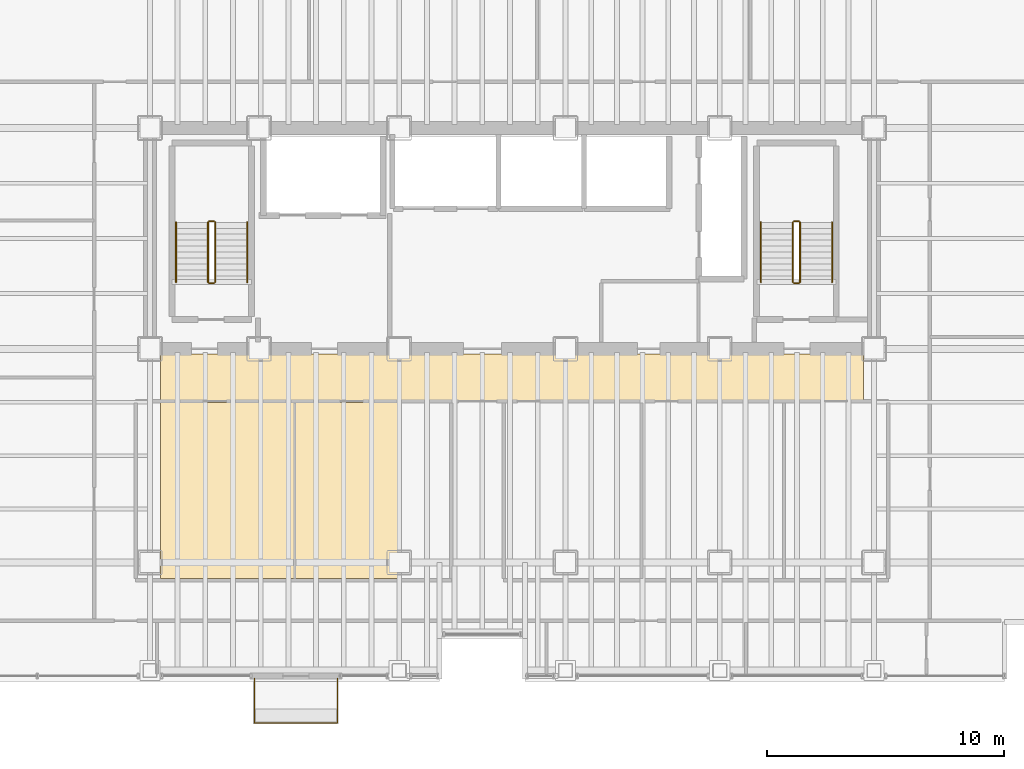
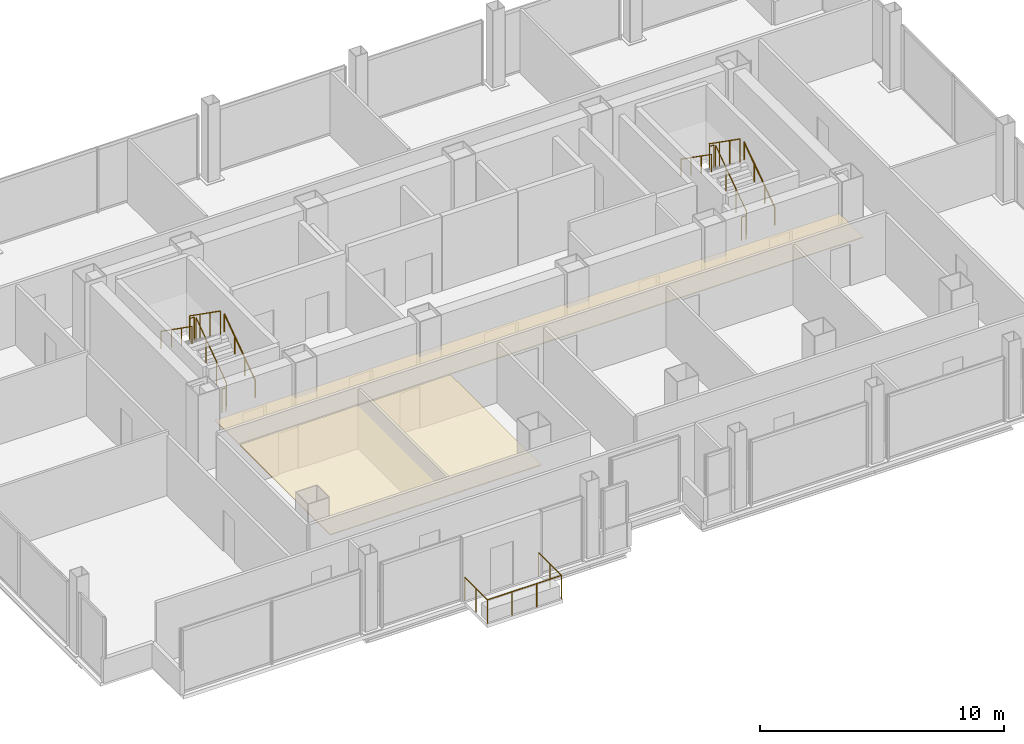
# One storey, part 21 of 21: 13 railings, 2 coverings.
"""IFC4 building model written with IfcOpenShell, lengths in metres."""

from ifc_helpers import new_model, si_unit, direction, frame, origin, origin_2d, place, context, subcontext, project, spatial, polyline, circle, outline, extrude, material, layer, layer_set, type_object, element, save


model = new_model("IFC4")

# Units and contexts
model_context = context("Model", 3, precision=1e-05, world=origin(), true_north=direction((0.0, 1.0)))
body_context = subcontext(model_context, "Body", "Model", "MODEL_VIEW")
ifc_project = project(units=[si_unit("LENGTHUNIT", "METRE"), si_unit("AREAUNIT", "SQUARE_METRE"), si_unit("VOLUMEUNIT", "CUBIC_METRE"), si_unit("PLANEANGLEUNIT", "RADIAN"), si_unit("MASSUNIT", "GRAM", prefix="KILO")], contexts=[model_context])

# Site, building, storey
site_placement = place(None, origin())
site = spatial("IfcSite", under=ifc_project, at=site_placement, CompositionType="ELEMENT")
building_placement = place(site_placement, origin())
building = spatial("IfcBuilding", under=site, at=building_placement, Name="Noeulbin Bourse Tower", CompositionType="ELEMENT")
storey_placement = place(building_placement, frame((0.0, 0.0, 42.10009765625)))
storey = spatial("IfcBuildingStorey", under=building, at=storey_placement, Name="L10", CompositionType="ELEMENT", Elevation=42.10009765625)

# Coverings
ifc_material_1 = material(Name="Perforated Mineral-Fibre Acoustic Tile")
ifc_layer_1 = layer(ifc_material_1, 0.0400390625)
ifc_layer_set_1 = layer_set([ifc_layer_1], Name="Perforated Mineral-Fibre Acoustic Tile")
covering_type = type_object("IfcCoveringType", Name="COV-CEIL-ACT", PredefinedType="CEILING", material=ifc_layer_set_1)
covering_1_placement = place(storey_placement, frame((0.0, 0.0, 2.10986328125)))
element("IfcCovering", 1, at=covering_1_placement, inside=storey, type_object=covering_type, Name="Corridor Suspended Ceiling L10", PredefinedType="CEILING", context=body_context, shape_type="SweptSolid", body=[
    extrude(outline(polyline([(13.949951171875, 26.820068359375), (43.550048828125, 26.820068359375), (43.550048828125, 28.780029296875), (13.949951171875, 28.780029296875), (13.949951171875, 26.820068359375)])), origin(), (0.0, 0.0, 1.0), 0.0400390625),
])
covering_2_placement = place(storey_placement, frame((0.0, 0.0, 2.10986328125)))
element("IfcCovering", 2, at=covering_2_placement, inside=storey, type_object=covering_type, Name="Trading Suite Acoustic Ceiling L10", PredefinedType="CEILING", context=body_context, shape_type="SweptSolid", body=[
    extrude(outline(polyline([(13.949951171875, 19.320068359375), (23.949951171875, 19.320068359375), (23.949951171875, 26.75), (13.949951171875, 26.75), (13.949951171875, 19.320068359375)])), origin(), (0.0, 0.0, 1.0), 0.0400390625),
])

# Railings
ifc_material_2 = material(Name="Laminated SentryGlas and Stainless Steel 316", Category="steel")
ifc_layer_2 = layer(ifc_material_2, 0.06005859375)
ifc_layer_set_2 = layer_set([ifc_layer_2], Name="Laminated SentryGlas and Stainless Steel 316")
railing_type_1 = type_object("IfcRailingType", Name="RLG-BAL-1200", PredefinedType="BALUSTRADE", material=ifc_layer_set_2)
railing_1_placement = place(storey_placement, frame((17.89990234375, 15.1201171875, 0.0)))
element("IfcRailing", 3, at=railing_1_placement, inside=storey, type_object=railing_type_1, Name="Tree-Balcony Glazed Balustrade L10", PredefinedType="BALUSTRADE", context=body_context, shape_type="SweptSolid", body=[
    extrude(circle(Radius=0.02392578125, at=origin_2d()), frame((0.0, 0.0, 1.17578125), z_axis=(0.0, -1.0, 0.0), x_axis=(1.0, 0.0, 0.0)), (0.0, 0.0, 1.0), 1.8701171875),
    extrude(circle(Radius=0.02392578125, at=origin_2d()), frame((0.0, -1.8701171875, 1.17578125), z_axis=(1.0, 0.0, 0.0), x_axis=(0.0, 1.0, 0.0)), (0.0, 0.0, 1.0), 3.5),
    extrude(circle(Radius=0.02392578125, at=origin_2d()), frame((3.5, -1.8701171875, 1.17578125), z_axis=(0.0, 1.0, 0.0), x_axis=(-1.0, 0.0, 0.0)), (0.0, 0.0, 1.0), 1.8701171875),
    extrude(circle(Radius=0.02099609375, at=origin_2d()), origin(), (0.0, 0.0, 1.0), 1.15185546875),
    extrude(circle(Radius=0.02099609375, at=origin_2d()), frame((0.0, -0.93505859375, 0.0)), (0.0, 0.0, 1.0), 1.15185546875),
    extrude(circle(Radius=0.02099609375, at=origin_2d()), frame((0.0, -1.8701171875, 0.0)), (0.0, 0.0, 1.0), 1.15185546875),
    extrude(circle(Radius=0.02099609375, at=origin_2d()), frame((1.166748046875, -1.8701171875, 0.0)), (0.0, 0.0, 1.0), 1.15185546875),
    extrude(circle(Radius=0.02099609375, at=origin_2d()), frame((2.333251953125, -1.8701171875, 0.0)), (0.0, 0.0, 1.0), 1.15185546875),
    extrude(circle(Radius=0.02099609375, at=origin_2d()), frame((3.5, -1.8701171875, 0.0)), (0.0, 0.0, 1.0), 1.15185546875),
    extrude(circle(Radius=0.02099609375, at=origin_2d()), frame((3.5, -0.93505859375, 0.0)), (0.0, 0.0, 1.0), 1.15185546875),
    extrude(circle(Radius=0.02099609375, at=origin_2d()), frame((3.5, 0.0, 0.0)), (0.0, 0.0, 1.0), 1.15185546875),
])
ifc_material_3 = material(Name="Painted Tubular Steel S355", Category="steel")
ifc_layer_3 = layer(ifc_material_3, 0.048095703125)
ifc_layer_set_3 = layer_set([ifc_layer_3], Name="Painted Tubular Steel S355")
railing_type_2 = type_object("IfcRailingType", Name="RLG-STR-GRD", PredefinedType="GUARDRAIL", material=ifc_layer_set_3)
railing_2_placement = place(storey_placement, frame((16.25, 31.81005859375, 0.17724609375)))
element("IfcRailing", 4, at=railing_2_placement, inside=storey, type_object=railing_type_2, Name="L10 ST-1 stair guard 1", PredefinedType="GUARDRAIL", context=body_context, shape_type="SweptSolid", body=[
    extrude(circle(Radius=0.02392578125, at=origin_2d()), frame((0.0, 0.0, 1.17578125), z_axis=(0.0, 0.817904474719, 0.575354039036), x_axis=(-1.0, 0.0, 0.0)), (0.0, 0.0, 1.0), 3.0810546875),
    extrude(circle(Radius=0.02099609375, at=origin_2d()), origin(), (0.0, 0.0, 1.0), 1.15185546875),
    extrude(circle(Radius=0.02099609375, at=origin_2d()), frame((0.0, 0.840087890625, 0.5908203125)), (0.0, 0.0, 1.0), 1.15185546875),
    extrude(circle(Radius=0.02099609375, at=origin_2d()), frame((0.0, 1.679931640625, 1.181884765625)), (0.0, 0.0, 1.0), 1.15185546875),
    extrude(circle(Radius=0.02099609375, at=origin_2d()), frame((0.0, 2.52001953125, 1.772705078125)), (0.0, 0.0, 1.0), 1.15185546875),
])
railing_3_placement = place(storey_placement, frame((16.199951171875, 34.3798828125, 1.949951171875)))
element("IfcRailing", 5, at=railing_3_placement, inside=storey, type_object=railing_type_2, Name="L10 ST-1 stair guard 2", PredefinedType="GUARDRAIL", context=body_context, shape_type="SweptSolid", body=[
    extrude(circle(Radius=0.02392578125, at=origin_2d()), frame((0.0, 0.0, 1.17578125), z_axis=(-1.0, 0.0, 0.0), x_axis=(0.0, -1.0, 0.0)), (0.0, 0.0, 1.0), 0.199951171875),
    extrude(circle(Radius=0.02099609375, at=origin_2d()), origin(), (0.0, 0.0, 1.0), 1.15185546875),
    extrude(circle(Radius=0.02099609375, at=origin_2d()), frame((-0.199951171875, 0.0, 0.0)), (0.0, 0.0, 1.0), 1.15185546875),
])
railing_4_placement = place(storey_placement, frame((15.949951171875, 34.330078125, 2.127197265625)))
element("IfcRailing", 6, at=railing_4_placement, inside=storey, type_object=railing_type_2, Name="L10 ST-1 stair guard 3", PredefinedType="GUARDRAIL", context=body_context, shape_type="SweptSolid", body=[
    extrude(circle(Radius=0.02392578125, at=origin_2d()), frame((0.0, 0.0, 1.17578125), z_axis=(0.0, -0.817904474719, 0.575354039036), x_axis=(1.0, 0.0, 0.0)), (0.0, 0.0, 1.0), 3.0810546875),
    extrude(circle(Radius=0.02099609375, at=origin_2d()), origin(), (0.0, 0.0, 1.0), 1.15185546875),
    extrude(circle(Radius=0.02099609375, at=origin_2d()), frame((0.0, -0.840087890625, 0.5908203125)), (0.0, 0.0, 1.0), 1.15185546875),
    extrude(circle(Radius=0.02099609375, at=origin_2d()), frame((0.0, -1.679931640625, 1.181884765625)), (0.0, 0.0, 1.0), 1.15185546875),
    extrude(circle(Radius=0.02099609375, at=origin_2d()), frame((0.0, -2.52001953125, 1.772705078125)), (0.0, 0.0, 1.0), 1.15185546875),
])
railing_5_placement = place(storey_placement, frame((16.199951171875, 31.760009765625, 0.0)))
element("IfcRailing", 7, at=railing_5_placement, inside=storey, type_object=railing_type_2, Name="L10 ST-1 stair guard 4", PredefinedType="GUARDRAIL", context=body_context, shape_type="SweptSolid", body=[
    extrude(circle(Radius=0.02392578125, at=origin_2d()), frame((0.0, 0.0, 1.17578125), z_axis=(-1.0, 0.0, 0.0), x_axis=(0.0, -1.0, 0.0)), (0.0, 0.0, 1.0), 0.199951171875),
    extrude(circle(Radius=0.02099609375, at=origin_2d()), origin(), (0.0, 0.0, 1.0), 1.15185546875),
    extrude(circle(Radius=0.02099609375, at=origin_2d()), frame((-0.199951171875, 0.0, 0.0)), (0.0, 0.0, 1.0), 1.15185546875),
])
railing_6_placement = place(storey_placement, frame((40.8798828125, 31.81005859375, 0.17724609375)))
element("IfcRailing", 8, at=railing_6_placement, inside=storey, type_object=railing_type_2, Name="L10 ST-2 stair guard 1", PredefinedType="GUARDRAIL", context=body_context, shape_type="SweptSolid", body=[
    extrude(circle(Radius=0.02392578125, at=origin_2d()), frame((0.0, 0.0, 1.17578125), z_axis=(0.0, 0.817904474719, 0.575354039036), x_axis=(-1.0, 0.0, 0.0)), (0.0, 0.0, 1.0), 3.0810546875),
    extrude(circle(Radius=0.02099609375, at=origin_2d()), origin(), (0.0, 0.0, 1.0), 1.15185546875),
    extrude(circle(Radius=0.02099609375, at=origin_2d()), frame((0.0, 0.840087890625, 0.5908203125)), (0.0, 0.0, 1.0), 1.15185546875),
    extrude(circle(Radius=0.02099609375, at=origin_2d()), frame((0.0, 1.679931640625, 1.181884765625)), (0.0, 0.0, 1.0), 1.15185546875),
    extrude(circle(Radius=0.02099609375, at=origin_2d()), frame((0.0, 2.52001953125, 1.772705078125)), (0.0, 0.0, 1.0), 1.15185546875),
])
railing_7_placement = place(storey_placement, frame((40.830078125, 34.3798828125, 1.949951171875)))
element("IfcRailing", 9, at=railing_7_placement, inside=storey, type_object=railing_type_2, Name="L10 ST-2 stair guard 2", PredefinedType="GUARDRAIL", context=body_context, shape_type="SweptSolid", body=[
    extrude(circle(Radius=0.02392578125, at=origin_2d()), frame((0.0, 0.0, 1.17578125), z_axis=(-1.0, 0.0, 0.0), x_axis=(0.0, -1.0, 0.0)), (0.0, 0.0, 1.0), 0.2001953125),
    extrude(circle(Radius=0.02099609375, at=origin_2d()), origin(), (0.0, 0.0, 1.0), 1.15185546875),
    extrude(circle(Radius=0.02099609375, at=origin_2d()), frame((-0.2001953125, 0.0, 0.0)), (0.0, 0.0, 1.0), 1.15185546875),
])
railing_8_placement = place(storey_placement, frame((40.580078125, 34.330078125, 2.127197265625)))
element("IfcRailing", 10, at=railing_8_placement, inside=storey, type_object=railing_type_2, Name="L10 ST-2 stair guard 3", PredefinedType="GUARDRAIL", context=body_context, shape_type="SweptSolid", body=[
    extrude(circle(Radius=0.02392578125, at=origin_2d()), frame((0.0, 0.0, 1.17578125), z_axis=(0.0, -0.817904474719, 0.575354039036), x_axis=(1.0, 0.0, 0.0)), (0.0, 0.0, 1.0), 3.0810546875),
    extrude(circle(Radius=0.02099609375, at=origin_2d()), origin(), (0.0, 0.0, 1.0), 1.15185546875),
    extrude(circle(Radius=0.02099609375, at=origin_2d()), frame((0.0, -0.840087890625, 0.5908203125)), (0.0, 0.0, 1.0), 1.15185546875),
    extrude(circle(Radius=0.02099609375, at=origin_2d()), frame((0.0, -1.679931640625, 1.181884765625)), (0.0, 0.0, 1.0), 1.15185546875),
    extrude(circle(Radius=0.02099609375, at=origin_2d()), frame((0.0, -2.52001953125, 1.772705078125)), (0.0, 0.0, 1.0), 1.15185546875),
])
railing_9_placement = place(storey_placement, frame((40.830078125, 31.760009765625, 0.0)))
element("IfcRailing", 11, at=railing_9_placement, inside=storey, type_object=railing_type_2, Name="L10 ST-2 stair guard 4", PredefinedType="GUARDRAIL", context=body_context, shape_type="SweptSolid", body=[
    extrude(circle(Radius=0.02392578125, at=origin_2d()), frame((0.0, 0.0, 1.17578125), z_axis=(-1.0, 0.0, 0.0), x_axis=(0.0, -1.0, 0.0)), (0.0, 0.0, 1.0), 0.2001953125),
    extrude(circle(Radius=0.02099609375, at=origin_2d()), origin(), (0.0, 0.0, 1.0), 1.15185546875),
    extrude(circle(Radius=0.02099609375, at=origin_2d()), frame((-0.2001953125, 0.0, 0.0)), (0.0, 0.0, 1.0), 1.15185546875),
])
ifc_material_4 = material(Name="Brushed Stainless Steel 316", Category="steel")
ifc_layer_4 = layer(ifc_material_4, 0.048095703125)
ifc_layer_set_4 = layer_set([ifc_layer_4], Name="Brushed Stainless Steel 316")
railing_type_3 = type_object("IfcRailingType", Name="RLG-STR-HND", PredefinedType="HANDRAIL", material=ifc_layer_set_4)
railing_10_placement = place(storey_placement, frame((17.60009765625, 31.81005859375, 0.17724609375)))
element("IfcRailing", 12, at=railing_10_placement, inside=storey, type_object=railing_type_3, Name="L10 ST-1 stair handrail 1", PredefinedType="HANDRAIL", context=body_context, shape_type="SweptSolid", body=[
    extrude(circle(Radius=0.02392578125, at=origin_2d()), frame((0.0, 0.0, 0.8759765625), z_axis=(0.0, 0.817904474719, 0.575354039036), x_axis=(-1.0, 0.0, 0.0)), (0.0, 0.0, 1.0), 3.0810546875),
    extrude(circle(Radius=0.02099609375, at=origin_2d()), origin(), (0.0, 0.0, 1.0), 0.851806640625),
    extrude(circle(Radius=0.02099609375, at=origin_2d()), frame((0.0, 0.840087890625, 0.5908203125)), (0.0, 0.0, 1.0), 0.851806640625),
    extrude(circle(Radius=0.02099609375, at=origin_2d()), frame((0.0, 1.679931640625, 1.181884765625)), (0.0, 0.0, 1.0), 0.851806640625),
    extrude(circle(Radius=0.02099609375, at=origin_2d()), frame((0.0, 2.52001953125, 1.772705078125)), (0.0, 0.0, 1.0), 0.851806640625),
])
railing_11_placement = place(storey_placement, frame((14.60009765625, 34.330078125, 2.127197265625)))
element("IfcRailing", 13, at=railing_11_placement, inside=storey, type_object=railing_type_3, Name="L10 ST-1 stair handrail 2", PredefinedType="HANDRAIL", context=body_context, shape_type="SweptSolid", body=[
    extrude(circle(Radius=0.02392578125, at=origin_2d()), frame((0.0, 0.0, 0.8759765625), z_axis=(0.0, -0.817904474719, 0.575354039036), x_axis=(1.0, 0.0, 0.0)), (0.0, 0.0, 1.0), 3.0810546875),
    extrude(circle(Radius=0.02099609375, at=origin_2d()), origin(), (0.0, 0.0, 1.0), 0.851806640625),
    extrude(circle(Radius=0.02099609375, at=origin_2d()), frame((0.0, -0.840087890625, 0.5908203125)), (0.0, 0.0, 1.0), 0.851806640625),
    extrude(circle(Radius=0.02099609375, at=origin_2d()), frame((0.0, -1.679931640625, 1.181884765625)), (0.0, 0.0, 1.0), 0.851806640625),
    extrude(circle(Radius=0.02099609375, at=origin_2d()), frame((0.0, -2.52001953125, 1.772705078125)), (0.0, 0.0, 1.0), 0.851806640625),
])
railing_12_placement = place(storey_placement, frame((42.22998046875, 31.81005859375, 0.17724609375)))
element("IfcRailing", 14, at=railing_12_placement, inside=storey, type_object=railing_type_3, Name="L10 ST-2 stair handrail 1", PredefinedType="HANDRAIL", context=body_context, shape_type="SweptSolid", body=[
    extrude(circle(Radius=0.02392578125, at=origin_2d()), frame((0.0, 0.0, 0.8759765625), z_axis=(0.0, 0.817904474719, 0.575354039036), x_axis=(-1.0, 0.0, 0.0)), (0.0, 0.0, 1.0), 3.0810546875),
    extrude(circle(Radius=0.02099609375, at=origin_2d()), origin(), (0.0, 0.0, 1.0), 0.851806640625),
    extrude(circle(Radius=0.02099609375, at=origin_2d()), frame((0.0, 0.840087890625, 0.5908203125)), (0.0, 0.0, 1.0), 0.851806640625),
    extrude(circle(Radius=0.02099609375, at=origin_2d()), frame((0.0, 1.679931640625, 1.181884765625)), (0.0, 0.0, 1.0), 0.851806640625),
    extrude(circle(Radius=0.02099609375, at=origin_2d()), frame((0.0, 2.52001953125, 1.772705078125)), (0.0, 0.0, 1.0), 0.851806640625),
])
railing_13_placement = place(storey_placement, frame((39.22998046875, 34.330078125, 2.127197265625)))
element("IfcRailing", 15, at=railing_13_placement, inside=storey, type_object=railing_type_3, Name="L10 ST-2 stair handrail 2", PredefinedType="HANDRAIL", context=body_context, shape_type="SweptSolid", body=[
    extrude(circle(Radius=0.02392578125, at=origin_2d()), frame((0.0, 0.0, 0.8759765625), z_axis=(0.0, -0.817904474719, 0.575354039036), x_axis=(1.0, 0.0, 0.0)), (0.0, 0.0, 1.0), 3.0810546875),
    extrude(circle(Radius=0.02099609375, at=origin_2d()), origin(), (0.0, 0.0, 1.0), 0.851806640625),
    extrude(circle(Radius=0.02099609375, at=origin_2d()), frame((0.0, -0.840087890625, 0.5908203125)), (0.0, 0.0, 1.0), 0.851806640625),
    extrude(circle(Radius=0.02099609375, at=origin_2d()), frame((0.0, -1.679931640625, 1.181884765625)), (0.0, 0.0, 1.0), 0.851806640625),
    extrude(circle(Radius=0.02099609375, at=origin_2d()), frame((0.0, -2.52001953125, 1.772705078125)), (0.0, 0.0, 1.0), 0.851806640625),
])

save(model, "model.ifc")
